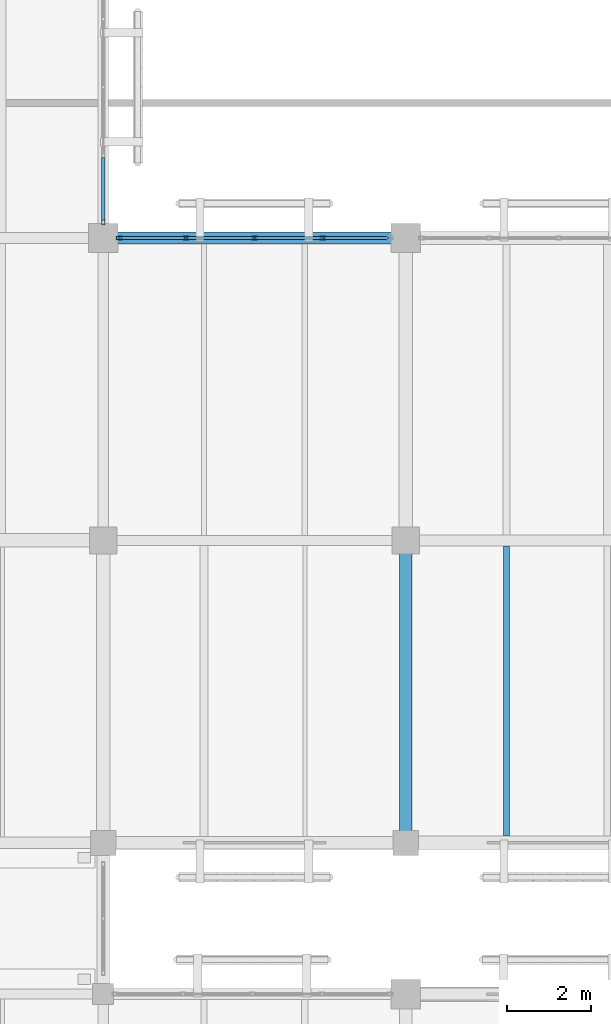
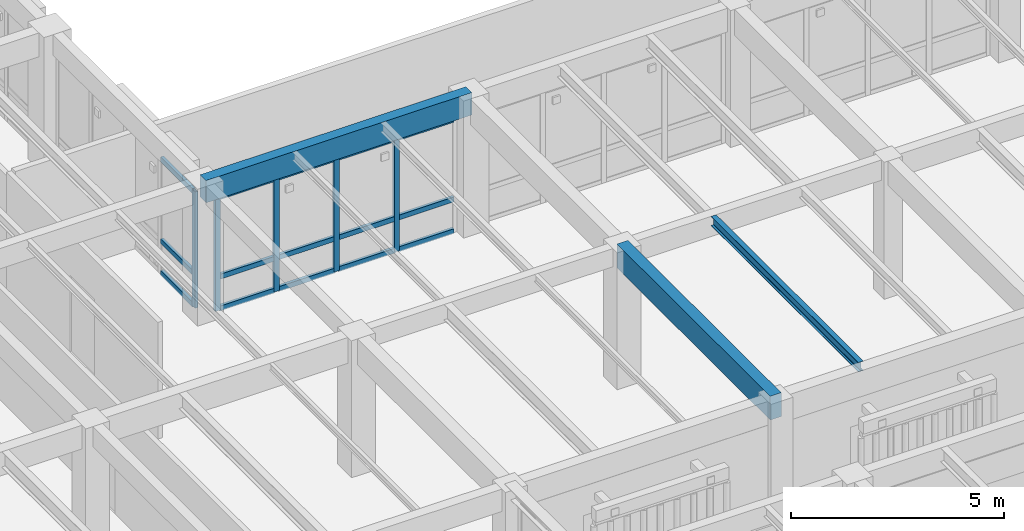
# One storey, part 96 of 170: 20 members, 3 beams, 2 elements without a shape of their own.
"""IFC4 building model written with IfcOpenShell, lengths in metres."""

from ifc_helpers import new_model, si_unit, direction, frame, origin, origin_2d, place, context, subcontext, project, spatial, rectangle, hollow_rectangle, i_section, extrude, material, layer, layer_set, material_profile, profile_set, type_object, element, aggregate, save


model = new_model("IFC4")

# Units and contexts
model_context = context("Model", 3, precision=1e-05, world=origin(), true_north=direction((0.0, 1.0)))
body_context = subcontext(model_context, "Body", "Model", "MODEL_VIEW")
ifc_project = project(units=[si_unit("LENGTHUNIT", "METRE"), si_unit("AREAUNIT", "SQUARE_METRE"), si_unit("VOLUMEUNIT", "CUBIC_METRE"), si_unit("PLANEANGLEUNIT", "RADIAN"), si_unit("MASSUNIT", "GRAM", prefix="KILO")], contexts=[model_context])

# Site, building, storey
site_placement = place(None, origin())
site = spatial("IfcSite", under=ifc_project, at=site_placement, CompositionType="ELEMENT")
building_placement = place(site_placement, origin())
building = spatial("IfcBuilding", under=site, at=building_placement, Name="Mazaris Harbour Polytechnic", CompositionType="ELEMENT")
storey_placement = place(building_placement, frame((0.0, 0.0, 5.39990234375)))
storey = spatial("IfcBuildingStorey", under=building, at=storey_placement, Name="L01", CompositionType="ELEMENT", Elevation=5.39990234375)

# Curtain wall, members
ifc_material_1 = material(Name="Anodised Bronze Aluminium and Low-E Glass", Category="aluminium")
ifc_layer = layer(ifc_material_1, 0.169921875, Name="Anodised Bronze Aluminium and Low-E Glass")
ifc_layer_set = layer_set([ifc_layer], Name="Anodised Bronze Aluminium and Low-E Glass")
curtain_wall_type = type_object("IfcCurtainWallType", Name="Studio North-Light Curtain Wall", PredefinedType="NOTDEFINED", material=ifc_layer_set)
curtain_wall_1_placement = place(storey_placement, origin())
curtain_wall_1 = element("IfcCurtainWall", 1, at=curtain_wall_1_placement, inside=storey, type_object=curtain_wall_type, Name="V5 L01 Curtain Wall 213", PredefinedType="NOTDEFINED")
ifc_material_2 = material(Name="Anodised Bronze Steel S355", Category="steel")
ifc_material_profile_1 = material_profile(ifc_material_2, hollow_rectangle(XDim=0.080078125, YDim=0.139892578125, WallThickness=0.00634765625, at=origin_2d()), Name="RHS 80x140x6.3")
ifc_profile_set_1 = profile_set([ifc_material_profile_1], Name="Anodised Bronze Steel S355")
member_type_1 = type_object("IfcMemberType", Name="Curtain Mullion RHS80x140", PredefinedType="MULLION", material=ifc_profile_set_1)
member_1_placement = place(storey_placement, frame((137.181884765625, 61.199951171875, 0.0), z_axis=(0.0, 0.0, 1.0), x_axis=(0.0, 1.0, 0.0)))
member_1 = element("IfcMember", 2, at=member_1_placement, type_object=member_type_1, Name="CW-03 mullion 1", PredefinedType="MULLION", context=body_context, shape_type="SweptSolid", body=[
    extrude(hollow_rectangle(XDim=0.080078125, YDim=0.139892578125, WallThickness=0.00634765625, at=origin_2d()), origin(), (0.0, 0.0, 1.0), 3.27001953125),
])
member_2_placement = place(storey_placement, frame((138.77099609375, 61.199951171875, 0.0), z_axis=(0.0, 0.0, 1.0), x_axis=(0.0, 1.0, 0.0)))
member_2 = element("IfcMember", 3, at=member_2_placement, type_object=member_type_1, Name="CW-03 mullion 2", PredefinedType="MULLION", context=body_context, shape_type="SweptSolid", body=[
    extrude(hollow_rectangle(XDim=0.080078125, YDim=0.139892578125, WallThickness=0.00634765625, at=origin_2d()), origin(), (0.0, 0.0, 1.0), 3.27001953125),
])
member_3_placement = place(storey_placement, frame((140.39990234375, 61.199951171875, 0.0), z_axis=(0.0, 0.0, 1.0), x_axis=(0.0, 1.0, 0.0)))
member_3 = element("IfcMember", 4, at=member_3_placement, type_object=member_type_1, Name="CW-03 mullion 3", PredefinedType="MULLION", context=body_context, shape_type="SweptSolid", body=[
    extrude(hollow_rectangle(XDim=0.080078125, YDim=0.139892578125, WallThickness=0.00634765625, at=origin_2d()), origin(), (0.0, 0.0, 1.0), 3.27001953125),
])
member_4_placement = place(storey_placement, frame((142.029052734375, 61.199951171875, 0.0), z_axis=(0.0, 0.0, 1.0), x_axis=(0.0, 1.0, 0.0)))
member_4 = element("IfcMember", 5, at=member_4_placement, type_object=member_type_1, Name="CW-03 mullion 4", PredefinedType="MULLION", context=body_context, shape_type="SweptSolid", body=[
    extrude(hollow_rectangle(XDim=0.080078125, YDim=0.139892578125, WallThickness=0.00634765625, at=origin_2d()), origin(), (0.0, 0.0, 1.0), 3.27001953125),
])

# Curtain wall, member
curtain_wall_2_placement = place(storey_placement, origin())
curtain_wall_2 = element("IfcCurtainWall", 6, at=curtain_wall_2_placement, inside=storey, type_object=curtain_wall_type, Name="V5 L01 Curtain Wall 219", PredefinedType="NOTDEFINED")
member_5_placement = place(storey_placement, frame((136.800048828125, 61.58203125, 0.0), z_axis=(0.0, 0.0, 1.0), x_axis=(-1.0, 0.0, 0.0)))
member_5 = element("IfcMember", 7, at=member_5_placement, type_object=member_type_1, Name="CW-03 mullion 1", PredefinedType="MULLION", context=body_context, shape_type="SweptSolid", body=[
    extrude(hollow_rectangle(XDim=0.080078125, YDim=0.139892578125, WallThickness=0.00634765625, at=origin_2d()), origin(), (0.0, 0.0, 1.0), 3.330078125),
])

# Member
ifc_material_3 = material(Name="Anodised Bronze Steel S355", Category="steel")
ifc_material_profile_2 = material_profile(ifc_material_3, hollow_rectangle(XDim=0.080078125, YDim=0.139892578125, WallThickness=0.00634765625, at=origin_2d()), Name="RHS 80x140x6.3")
ifc_profile_set_2 = profile_set([ifc_material_profile_2], Name="Anodised Bronze Steel S355")
member_type_2 = type_object("IfcMemberType", Name="Curtain Transom RHS80x140", PredefinedType="USERDEFINED", material=ifc_profile_set_2)
member_6_placement = place(storey_placement, frame((137.221923828125, 61.199951171875, 0.0400390625), z_axis=(1.0, 0.0, 0.0), x_axis=(0.0, 1.0, 0.0)))
member_6 = element("IfcMember", 8, at=member_6_placement, type_object=member_type_2, Name="CW-03 transom 1.1", ObjectType="TRANSOM", PredefinedType="USERDEFINED", context=body_context, shape_type="SweptSolid", body=[
    extrude(hollow_rectangle(XDim=0.080078125, YDim=0.139892578125, WallThickness=0.00634765625, at=origin_2d()), origin(), (0.0, 0.0, 1.0), 1.509033203125),
])

member_7_placement = place(storey_placement, frame((137.221923828125, 61.199951171875, 0.9501953125), z_axis=(1.0, 0.0, 0.0), x_axis=(0.0, 1.0, 0.0)))
member_7 = element("IfcMember", 9, at=member_7_placement, type_object=member_type_2, Name="CW-03 transom 1.2", ObjectType="TRANSOM", PredefinedType="USERDEFINED", context=body_context, shape_type="SweptSolid", body=[
    extrude(hollow_rectangle(XDim=0.080078125, YDim=0.139892578125, WallThickness=0.00634765625, at=origin_2d()), origin(), (0.0, 0.0, 1.0), 1.509033203125),
])

member_8_placement = place(storey_placement, frame((137.221923828125, 61.199951171875, 3.22998046875), z_axis=(1.0, 0.0, 0.0), x_axis=(0.0, 1.0, 0.0)))
member_8 = element("IfcMember", 10, at=member_8_placement, type_object=member_type_2, Name="CW-03 transom 1.3", ObjectType="TRANSOM", PredefinedType="USERDEFINED", context=body_context, shape_type="SweptSolid", body=[
    extrude(hollow_rectangle(XDim=0.080078125, YDim=0.139892578125, WallThickness=0.00634765625, at=origin_2d()), origin(), (0.0, 0.0, 1.0), 1.509033203125),
])

member_9_placement = place(storey_placement, frame((138.81103515625, 61.199951171875, 0.0400390625), z_axis=(1.0, 0.0, 0.0), x_axis=(0.0, 1.0, 0.0)))
member_9 = element("IfcMember", 11, at=member_9_placement, type_object=member_type_2, Name="CW-03 transom 2.1", ObjectType="TRANSOM", PredefinedType="USERDEFINED", context=body_context, shape_type="SweptSolid", body=[
    extrude(hollow_rectangle(XDim=0.080078125, YDim=0.139892578125, WallThickness=0.00634765625, at=origin_2d()), origin(), (0.0, 0.0, 1.0), 1.549072265625),
])

member_10_placement = place(storey_placement, frame((138.81103515625, 61.199951171875, 0.9501953125), z_axis=(1.0, 0.0, 0.0), x_axis=(0.0, 1.0, 0.0)))
member_10 = element("IfcMember", 12, at=member_10_placement, type_object=member_type_2, Name="CW-03 transom 2.2", ObjectType="TRANSOM", PredefinedType="USERDEFINED", context=body_context, shape_type="SweptSolid", body=[
    extrude(hollow_rectangle(XDim=0.080078125, YDim=0.139892578125, WallThickness=0.00634765625, at=origin_2d()), origin(), (0.0, 0.0, 1.0), 1.549072265625),
])

member_11_placement = place(storey_placement, frame((138.81103515625, 61.199951171875, 3.22998046875), z_axis=(1.0, 0.0, 0.0), x_axis=(0.0, 1.0, 0.0)))
member_11 = element("IfcMember", 13, at=member_11_placement, type_object=member_type_2, Name="CW-03 transom 2.3", ObjectType="TRANSOM", PredefinedType="USERDEFINED", context=body_context, shape_type="SweptSolid", body=[
    extrude(hollow_rectangle(XDim=0.080078125, YDim=0.139892578125, WallThickness=0.00634765625, at=origin_2d()), origin(), (0.0, 0.0, 1.0), 1.549072265625),
])

member_12_placement = place(storey_placement, frame((140.43994140625, 61.199951171875, 0.0400390625), z_axis=(1.0, 0.0, 0.0), x_axis=(0.0, 1.0, 0.0)))
member_12 = element("IfcMember", 14, at=member_12_placement, type_object=member_type_2, Name="CW-03 transom 3.1", ObjectType="TRANSOM", PredefinedType="USERDEFINED", context=body_context, shape_type="SweptSolid", body=[
    extrude(hollow_rectangle(XDim=0.080078125, YDim=0.139892578125, WallThickness=0.00634765625, at=origin_2d()), origin(), (0.0, 0.0, 1.0), 1.549072265625),
])

member_13_placement = place(storey_placement, frame((140.43994140625, 61.199951171875, 0.9501953125), z_axis=(1.0, 0.0, 0.0), x_axis=(0.0, 1.0, 0.0)))
member_13 = element("IfcMember", 15, at=member_13_placement, type_object=member_type_2, Name="CW-03 transom 3.2", ObjectType="TRANSOM", PredefinedType="USERDEFINED", context=body_context, shape_type="SweptSolid", body=[
    extrude(hollow_rectangle(XDim=0.080078125, YDim=0.139892578125, WallThickness=0.00634765625, at=origin_2d()), origin(), (0.0, 0.0, 1.0), 1.549072265625),
])

member_14_placement = place(storey_placement, frame((140.43994140625, 61.199951171875, 3.22998046875), z_axis=(1.0, 0.0, 0.0), x_axis=(0.0, 1.0, 0.0)))
member_14 = element("IfcMember", 16, at=member_14_placement, type_object=member_type_2, Name="CW-03 transom 3.3", ObjectType="TRANSOM", PredefinedType="USERDEFINED", context=body_context, shape_type="SweptSolid", body=[
    extrude(hollow_rectangle(XDim=0.080078125, YDim=0.139892578125, WallThickness=0.00634765625, at=origin_2d()), origin(), (0.0, 0.0, 1.0), 1.549072265625),
])

member_15_placement = place(storey_placement, frame((142.069091796875, 61.199951171875, 0.0400390625), z_axis=(1.0, 0.0, 0.0), x_axis=(0.0, 1.0, 0.0)))
member_15 = element("IfcMember", 17, at=member_15_placement, type_object=member_type_2, Name="CW-03 transom 4.1", ObjectType="TRANSOM", PredefinedType="USERDEFINED", context=body_context, shape_type="SweptSolid", body=[
    extrude(hollow_rectangle(XDim=0.080078125, YDim=0.139892578125, WallThickness=0.00634765625, at=origin_2d()), origin(), (0.0, 0.0, 1.0), 1.5087890625),
])

member_16_placement = place(storey_placement, frame((142.069091796875, 61.199951171875, 0.9501953125), z_axis=(1.0, 0.0, 0.0), x_axis=(0.0, 1.0, 0.0)))
member_16 = element("IfcMember", 18, at=member_16_placement, type_object=member_type_2, Name="CW-03 transom 4.2", ObjectType="TRANSOM", PredefinedType="USERDEFINED", context=body_context, shape_type="SweptSolid", body=[
    extrude(hollow_rectangle(XDim=0.080078125, YDim=0.139892578125, WallThickness=0.00634765625, at=origin_2d()), origin(), (0.0, 0.0, 1.0), 1.5087890625),
])

member_17_placement = place(storey_placement, frame((142.069091796875, 61.199951171875, 3.22998046875), z_axis=(1.0, 0.0, 0.0), x_axis=(0.0, 1.0, 0.0)))
member_17 = element("IfcMember", 19, at=member_17_placement, type_object=member_type_2, Name="CW-03 transom 4.3", ObjectType="TRANSOM", PredefinedType="USERDEFINED", context=body_context, shape_type="SweptSolid", body=[
    extrude(hollow_rectangle(XDim=0.080078125, YDim=0.139892578125, WallThickness=0.00634765625, at=origin_2d()), origin(), (0.0, 0.0, 1.0), 1.5087890625),
])

aggregate(curtain_wall_1, [member_1, member_2, member_3, member_4, member_6, member_7, member_8, member_9, member_10, member_11, member_12, member_13, member_14, member_15, member_16, member_17])

member_18_placement = place(storey_placement, frame((136.800048828125, 61.6220703125, 0.0400390625), z_axis=(0.0, 1.0, 0.0), x_axis=(-1.0, 0.0, 0.0)))
member_18 = element("IfcMember", 20, at=member_18_placement, type_object=member_type_2, Name="CW-03 transom 1.1", ObjectType="TRANSOM", PredefinedType="USERDEFINED", context=body_context, shape_type="SweptSolid", body=[
    extrude(hollow_rectangle(XDim=0.080078125, YDim=0.139892578125, WallThickness=0.00634765625, at=origin_2d()), origin(), (0.0, 0.0, 1.0), 1.502685546875),
])

member_19_placement = place(storey_placement, frame((136.800048828125, 61.6220703125, 0.9501953125), z_axis=(0.0, 1.0, 0.0), x_axis=(-1.0, 0.0, 0.0)))
member_19 = element("IfcMember", 21, at=member_19_placement, type_object=member_type_2, Name="CW-03 transom 1.2", ObjectType="TRANSOM", PredefinedType="USERDEFINED", context=body_context, shape_type="SweptSolid", body=[
    extrude(hollow_rectangle(XDim=0.080078125, YDim=0.139892578125, WallThickness=0.00634765625, at=origin_2d()), origin(), (0.0, 0.0, 1.0), 1.502685546875),
])

member_20_placement = place(storey_placement, frame((136.800048828125, 61.6220703125, 3.2900390625), z_axis=(0.0, 1.0, 0.0), x_axis=(-1.0, 0.0, 0.0)))
member_20 = element("IfcMember", 22, at=member_20_placement, type_object=member_type_2, Name="CW-03 transom 1.3", ObjectType="TRANSOM", PredefinedType="USERDEFINED", context=body_context, shape_type="SweptSolid", body=[
    extrude(hollow_rectangle(XDim=0.080078125, YDim=0.139892578125, WallThickness=0.00634765625, at=origin_2d()), origin(), (0.0, 0.0, 1.0), 1.502685546875),
])

aggregate(curtain_wall_2, [member_5, member_18, member_19, member_20])

# Beams
ifc_material_4 = material(Name="Glulam GL32h", Category="wood")
ifc_material_profile_3 = material_profile(ifc_material_4, rectangle(XDim=0.280029296875, YDim=0.639892578125, at=origin_2d()), Name="RECT280x640")
ifc_profile_set_3 = profile_set([ifc_material_profile_3], Name="Glulam GL32h")
beam_type_1 = type_object("IfcBeamType", Name="Glulam Girder 280x640", PredefinedType="BEAM", material=ifc_profile_set_3)
beam_1_placement = place(storey_placement, frame((136.800048828125, 61.199951171875, 3.60009765625), z_axis=(1.0, 0.0, 0.0), x_axis=(0.0, 1.0, 0.0)))
element("IfcBeam", 23, at=beam_1_placement, inside=storey, type_object=beam_type_1, Name="V5 L01 Girder 2922", PredefinedType="BEAM", context=body_context, shape_type="SweptSolid", body=[
    extrude(rectangle(XDim=0.280029296875, YDim=0.639892578125, at=origin_2d()), origin(), (0.0, 0.0, 1.0), 7.199951171875),
])
ifc_material_5 = material(Name="Glulam GL32h", Category="wood")
ifc_material_profile_4 = material_profile(ifc_material_5, rectangle(XDim=0.300048828125, YDim=0.679931640625, at=origin_2d()), Name="RECT300x680")
ifc_profile_set_4 = profile_set([ifc_material_profile_4], Name="Glulam GL32h")
beam_type_2 = type_object("IfcBeamType", Name="Glulam Girder 300x680", PredefinedType="BEAM", material=ifc_profile_set_4)
beam_2_placement = place(storey_placement, frame((144.0, 46.800048828125, 3.580078125), z_axis=(0.0, 1.0, 0.0), x_axis=(-1.0, 0.0, 0.0)))
element("IfcBeam", 24, at=beam_2_placement, inside=storey, type_object=beam_type_2, Name="V5 L01 Tie Girder 2993", PredefinedType="BEAM", context=body_context, shape_type="SweptSolid", body=[
    extrude(rectangle(XDim=0.300048828125, YDim=0.679931640625, at=origin_2d()), origin(), (0.0, 0.0, 1.0), 7.199951171875),
])
ifc_material_6 = material(Name="Steel S355", Category="steel")
ifc_material_profile_5 = material_profile(ifc_material_6, i_section(OverallWidth=0.135009765625, OverallDepth=0.27001953125, WebThickness=0.006591796875, FlangeThickness=0.01025390625, FilletRadius=0.014892578125, at=origin_2d()), Name="IPE 270")
ifc_profile_set_5 = profile_set([ifc_material_profile_5], Name="Steel S355")
beam_type_3 = type_object("IfcBeamType", Name="Steel Joist IPE270", PredefinedType="JOIST", material=ifc_profile_set_5)
beam_3_placement = place(storey_placement, frame((146.39990234375, 46.9599609375, 3.78515625), z_axis=(0.0, 1.0, 0.0), x_axis=(-1.0, 0.0, 0.0)))
element("IfcBeam", 25, at=beam_3_placement, inside=storey, type_object=beam_type_3, Name="V5 L01 Floor Joist 3068", PredefinedType="JOIST", context=body_context, shape_type="SweptSolid", body=[
    extrude(i_section(OverallWidth=0.135009765625, OverallDepth=0.27001953125, WebThickness=0.006591796875, FlangeThickness=0.01025390625, FilletRadius=0.014892578125, at=origin_2d()), origin(), (0.0, 0.0, 1.0), 6.91015625),
])

save(model, "model.ifc")
